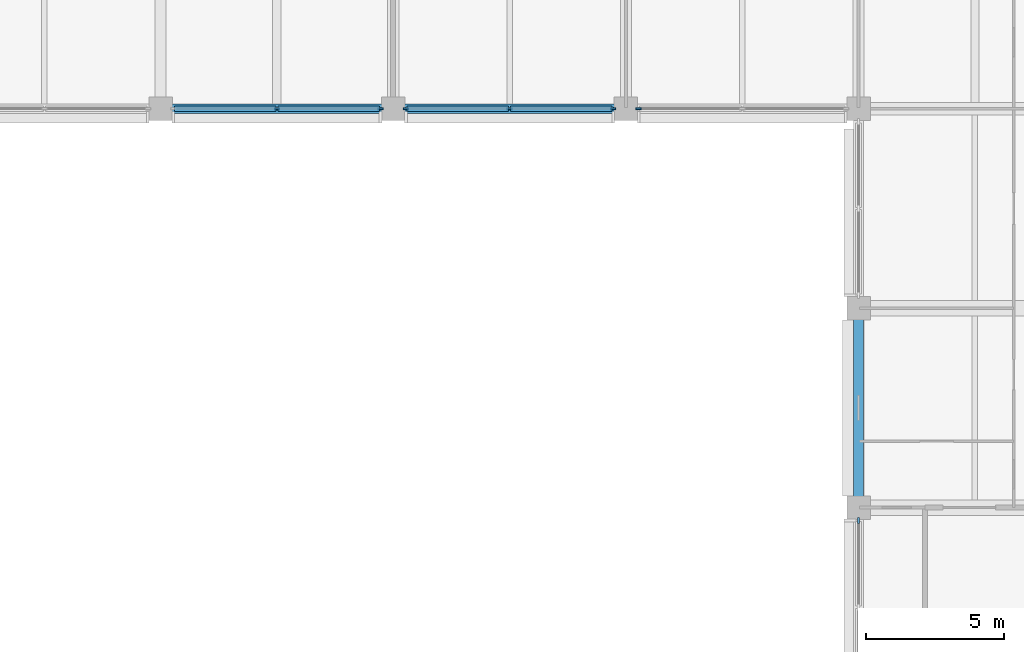
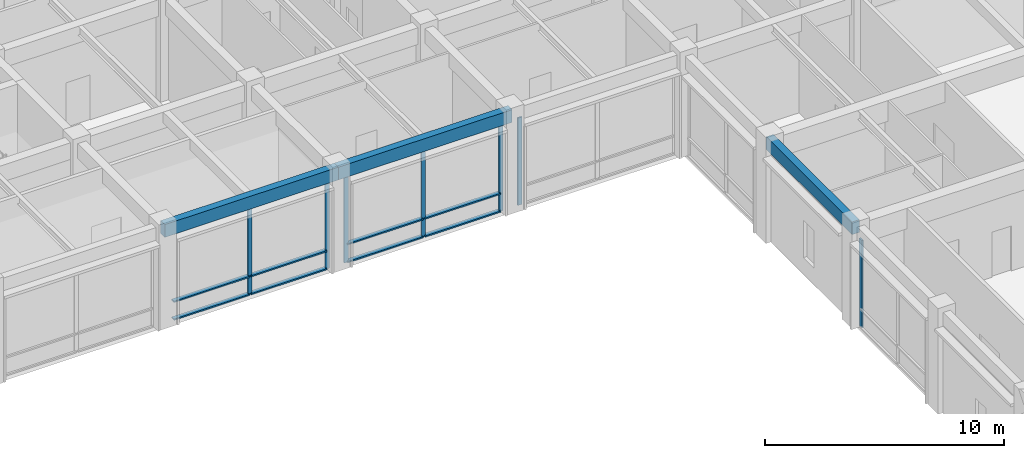
# One storey, part 12 of 51: 19 members, 3 beams, 4 elements without a shape of their own.
"""IFC4 building model written with IfcOpenShell, lengths in metres."""

from ifc_helpers import new_model, si_unit, direction, frame, origin, origin_2d, place, context, subcontext, project, spatial, rectangle, extrude, material, layer, layer_set, material_profile, profile_set, type_object, element, aggregate, save


model = new_model("IFC4")

# Units and contexts
model_context = context("Model", 3, precision=1e-05, world=origin(), true_north=direction((0.0, 1.0)))
body_context = subcontext(model_context, "Body", "Model", "MODEL_VIEW")
ifc_project = project(units=[si_unit("LENGTHUNIT", "METRE"), si_unit("AREAUNIT", "SQUARE_METRE"), si_unit("VOLUMEUNIT", "CUBIC_METRE"), si_unit("PLANEANGLEUNIT", "RADIAN"), si_unit("MASSUNIT", "GRAM", prefix="KILO")], contexts=[model_context])

# Site, building, storey
site_placement = place(None, origin())
site = spatial("IfcSite", under=ifc_project, at=site_placement, CompositionType="ELEMENT")
building_placement = place(site_placement, origin())
building = spatial("IfcBuilding", under=site, at=building_placement, Name="Chengyuan Square Courthouse", CompositionType="ELEMENT")
storey_placement = place(building_placement, frame((0.0, 0.0, 10.800048828125)))
storey = spatial("IfcBuildingStorey", under=building, at=storey_placement, Name="L03", CompositionType="ELEMENT", Elevation=10.800048828125)

# Beams
ifc_material_1 = material(Name="Concrete C40", Category="concrete")
ifc_material_profile_1 = material_profile(ifc_material_1, rectangle(XDim=0.35009765625, YDim=0.64990234375, at=origin_2d()), Name="RC-BM-350x650")
ifc_profile_set_1 = profile_set([ifc_material_profile_1], Name="Concrete C40")
beam_type = type_object("IfcBeamType", Name="BM-03", PredefinedType="SPANDREL", material=ifc_profile_set_1)
beam_1_placement = place(storey_placement, frame((126.0, 79.199951171875, 4.794921875), z_axis=(1.0, 0.0, 0.0), x_axis=(0.0, 1.0, 0.0)))
element("IfcBeam", 1, at=beam_1_placement, inside=storey, type_object=beam_type, Name="Girder BM-L03-2539", PredefinedType="SPANDREL", context=body_context, shape_type="SweptSolid", body=[
    extrude(rectangle(XDim=0.35009765625, YDim=0.64990234375, at=origin_2d()), origin(), (0.0, 0.0, 1.0), 8.39990234375),
])
beam_2_placement = place(storey_placement, frame((134.39990234375, 79.199951171875, 4.794921875), z_axis=(1.0, 0.0, 0.0), x_axis=(0.0, 1.0, 0.0)))
element("IfcBeam", 2, at=beam_2_placement, inside=storey, type_object=beam_type, Name="Girder BM-L03-2540", PredefinedType="SPANDREL", context=body_context, shape_type="SweptSolid", body=[
    extrude(rectangle(XDim=0.35009765625, YDim=0.64990234375, at=origin_2d()), origin(), (0.0, 0.0, 1.0), 8.400146484375),
])
beam_3_placement = place(storey_placement, frame((151.199951171875, 64.800048828125, 4.794921875), z_axis=(0.0, 1.0, 0.0), x_axis=(-1.0, 0.0, 0.0)))
element("IfcBeam", 3, at=beam_3_placement, inside=storey, type_object=beam_type, Name="Girder BM-L03-2733", PredefinedType="SPANDREL", context=body_context, shape_type="SweptSolid", body=[
    extrude(rectangle(XDim=0.35009765625, YDim=0.64990234375, at=origin_2d()), origin(), (0.0, 0.0, 1.0), 7.199951171875),
])

# Curtain wall, members
ifc_material_2 = material(Name="Unitised Aluminium and Triple Low-E Glass", Category="aluminium")
ifc_layer_1 = layer(ifc_material_2, 0.199951171875)
ifc_layer_set_1 = layer_set([ifc_layer_1], Name="Unitised Aluminium and Triple Low-E Glass")
curtain_wall_type_1 = type_object("IfcCurtainWallType", Name="CW-07", PredefinedType="USERDEFINED", material=ifc_layer_set_1)
curtain_wall_1_placement = place(storey_placement, origin())
curtain_wall_1 = element("IfcCurtainWall", 4, at=curtain_wall_1_placement, inside=storey, type_object=curtain_wall_type_1, Name="Unitised Curtain Wall CW-L03-116", ObjectType="UNITISED CURTAIN WALL", PredefinedType="USERDEFINED")
ifc_material_3 = material(Name="Aluminium 6063-T6 Frame", Category="aluminium")
ifc_material_profile_2 = material_profile(ifc_material_3, rectangle(XDim=0.070068359375, YDim=0.199951171875, at=origin_2d()), Name="CW-MUL-70x200")
ifc_profile_set_2 = profile_set([ifc_material_profile_2], Name="Aluminium 6063-T6 Frame")
member_type_1 = type_object("IfcMemberType", Name="CWM-03", PredefinedType="MULLION", material=ifc_profile_set_2)
member_1_placement = place(storey_placement, frame((130.199951171875, 79.199951171875, 0.0), z_axis=(0.0, 0.0, 1.0), x_axis=(0.0, 1.0, 0.0)))
member_1 = element("IfcMember", 5, at=member_1_placement, type_object=member_type_1, Name="CW-07 mullion 2", PredefinedType="MULLION", context=body_context, shape_type="SweptSolid", body=[
    extrude(rectangle(XDim=0.070068359375, YDim=0.199951171875, at=origin_2d()), origin(), (0.0, 0.0, 1.0), 4.469970703125),
])
member_2_placement = place(storey_placement, frame((133.93994140625, 79.199951171875, 0.0), z_axis=(0.0, 0.0, 1.0), x_axis=(0.0, 1.0, 0.0)))
member_2 = element("IfcMember", 6, at=member_2_placement, type_object=member_type_1, Name="CW-07 mullion 3", PredefinedType="MULLION", context=body_context, shape_type="SweptSolid", body=[
    extrude(rectangle(XDim=0.070068359375, YDim=0.199951171875, at=origin_2d()), origin(), (0.0, 0.0, 1.0), 4.469970703125),
])

curtain_wall_2_placement = place(storey_placement, origin())
curtain_wall_2 = element("IfcCurtainWall", 7, at=curtain_wall_2_placement, inside=storey, type_object=curtain_wall_type_1, Name="Unitised Curtain Wall CW-L03-117", ObjectType="UNITISED CURTAIN WALL", PredefinedType="USERDEFINED")
member_3_placement = place(storey_placement, frame((134.860107421875, 79.199951171875, 0.0), z_axis=(0.0, 0.0, 1.0), x_axis=(0.0, 1.0, 0.0)))
member_3 = element("IfcMember", 8, at=member_3_placement, type_object=member_type_1, Name="CW-07 mullion 1", PredefinedType="MULLION", context=body_context, shape_type="SweptSolid", body=[
    extrude(rectangle(XDim=0.070068359375, YDim=0.199951171875, at=origin_2d()), origin(), (0.0, 0.0, 1.0), 4.469970703125),
])
member_4_placement = place(storey_placement, frame((138.60009765625, 79.199951171875, 0.0), z_axis=(0.0, 0.0, 1.0), x_axis=(0.0, 1.0, 0.0)))
member_4 = element("IfcMember", 9, at=member_4_placement, type_object=member_type_1, Name="CW-07 mullion 2", PredefinedType="MULLION", context=body_context, shape_type="SweptSolid", body=[
    extrude(rectangle(XDim=0.070068359375, YDim=0.199951171875, at=origin_2d()), origin(), (0.0, 0.0, 1.0), 4.469970703125),
])
member_5_placement = place(storey_placement, frame((142.340087890625, 79.199951171875, 0.0), z_axis=(0.0, 0.0, 1.0), x_axis=(0.0, 1.0, 0.0)))
member_5 = element("IfcMember", 10, at=member_5_placement, type_object=member_type_1, Name="CW-07 mullion 3", PredefinedType="MULLION", context=body_context, shape_type="SweptSolid", body=[
    extrude(rectangle(XDim=0.070068359375, YDim=0.199951171875, at=origin_2d()), origin(), (0.0, 0.0, 1.0), 4.469970703125),
])

# Curtain wall, member
curtain_wall_3_placement = place(storey_placement, origin())
curtain_wall_3 = element("IfcCurtainWall", 11, at=curtain_wall_3_placement, inside=storey, type_object=curtain_wall_type_1, Name="Unitised Curtain Wall CW-L03-118", ObjectType="UNITISED CURTAIN WALL", PredefinedType="USERDEFINED")
member_6_placement = place(storey_placement, frame((143.260009765625, 79.199951171875, 0.0), z_axis=(0.0, 0.0, 1.0), x_axis=(0.0, 1.0, 0.0)))
member_6 = element("IfcMember", 12, at=member_6_placement, type_object=member_type_1, Name="CW-07 mullion 1", PredefinedType="MULLION", context=body_context, shape_type="SweptSolid", body=[
    extrude(rectangle(XDim=0.070068359375, YDim=0.199951171875, at=origin_2d()), origin(), (0.0, 0.0, 1.0), 4.469970703125),
])
aggregate(curtain_wall_3, [member_6])

ifc_layer_2 = layer(ifc_material_2, 0.219970703125)
ifc_layer_set_2 = layer_set([ifc_layer_2], Name="Unitised Aluminium and Triple Low-E Glass")
curtain_wall_type_2 = type_object("IfcCurtainWallType", Name="CW-20", PredefinedType="USERDEFINED", material=ifc_layer_set_2)
curtain_wall_4_placement = place(storey_placement, origin())
curtain_wall_4 = element("IfcCurtainWall", 13, at=curtain_wall_4_placement, inside=storey, type_object=curtain_wall_type_2, Name="Unitised Curtain Wall CW-L03-120", ObjectType="UNITISED CURTAIN WALL", PredefinedType="USERDEFINED")
ifc_material_profile_3 = material_profile(ifc_material_3, rectangle(XDim=0.080078125, YDim=0.219970703125, at=origin_2d()), Name="CW-MUL-80x220")
ifc_profile_set_3 = profile_set([ifc_material_profile_3], Name="Aluminium 6063-T6 Frame")
member_type_2 = type_object("IfcMemberType", Name="CWM-04", PredefinedType="MULLION", material=ifc_profile_set_3)
member_7_placement = place(storey_placement, frame((151.199951171875, 64.3349609375, 0.0), z_axis=(0.0, 0.0, 1.0), x_axis=(-1.0, 0.0, 0.0)))
member_7 = element("IfcMember", 14, at=member_7_placement, type_object=member_type_2, Name="CW-20 mullion 3", PredefinedType="MULLION", context=body_context, shape_type="SweptSolid", body=[
    extrude(rectangle(XDim=0.080078125, YDim=0.219970703125, at=origin_2d()), origin(), (0.0, 0.0, 1.0), 4.469970703125),
])
aggregate(curtain_wall_4, [member_7])

# Member
ifc_material_profile_4 = material_profile(ifc_material_3, rectangle(XDim=0.199951171875, YDim=0.070068359375, at=origin_2d()), Name="CW-TRN-70x160")
ifc_profile_set_4 = profile_set([ifc_material_profile_4], Name="Aluminium 6063-T6 Frame")
member_type_3 = type_object("IfcMemberType", Name="CWT-03", PredefinedType="USERDEFINED", material=ifc_profile_set_4)
member_8_placement = place(storey_placement, frame((126.4951171875, 79.199951171875, 0.034912109375), z_axis=(1.0, 0.0, 0.0), x_axis=(0.0, 1.0, 0.0)))
member_8 = element("IfcMember", 15, at=member_8_placement, type_object=member_type_3, Name="CW-07 transom 1.1", ObjectType="TRANSOM", PredefinedType="USERDEFINED", context=body_context, shape_type="SweptSolid", body=[
    extrude(rectangle(XDim=0.199951171875, YDim=0.070068359375, at=origin_2d()), origin(), (0.0, 0.0, 1.0), 3.669921875),
])

member_9_placement = place(storey_placement, frame((126.4951171875, 79.199951171875, 0.949951171875), z_axis=(1.0, 0.0, 0.0), x_axis=(0.0, 1.0, 0.0)))
member_9 = element("IfcMember", 16, at=member_9_placement, type_object=member_type_3, Name="CW-07 transom 1.2", ObjectType="TRANSOM", PredefinedType="USERDEFINED", context=body_context, shape_type="SweptSolid", body=[
    extrude(rectangle(XDim=0.199951171875, YDim=0.070068359375, at=origin_2d()), origin(), (0.0, 0.0, 1.0), 3.669921875),
])

member_10_placement = place(storey_placement, frame((126.4951171875, 79.199951171875, 4.43505859375), z_axis=(1.0, 0.0, 0.0), x_axis=(0.0, 1.0, 0.0)))
member_10 = element("IfcMember", 17, at=member_10_placement, type_object=member_type_3, Name="CW-07 transom 1.3", ObjectType="TRANSOM", PredefinedType="USERDEFINED", context=body_context, shape_type="SweptSolid", body=[
    extrude(rectangle(XDim=0.199951171875, YDim=0.070068359375, at=origin_2d()), origin(), (0.0, 0.0, 1.0), 3.669921875),
])

member_11_placement = place(storey_placement, frame((130.235107421875, 79.199951171875, 0.034912109375), z_axis=(1.0, 0.0, 0.0), x_axis=(0.0, 1.0, 0.0)))
member_11 = element("IfcMember", 18, at=member_11_placement, type_object=member_type_3, Name="CW-07 transom 2.1", ObjectType="TRANSOM", PredefinedType="USERDEFINED", context=body_context, shape_type="SweptSolid", body=[
    extrude(rectangle(XDim=0.199951171875, YDim=0.070068359375, at=origin_2d()), origin(), (0.0, 0.0, 1.0), 3.669921875),
])

member_12_placement = place(storey_placement, frame((130.235107421875, 79.199951171875, 0.949951171875), z_axis=(1.0, 0.0, 0.0), x_axis=(0.0, 1.0, 0.0)))
member_12 = element("IfcMember", 19, at=member_12_placement, type_object=member_type_3, Name="CW-07 transom 2.2", ObjectType="TRANSOM", PredefinedType="USERDEFINED", context=body_context, shape_type="SweptSolid", body=[
    extrude(rectangle(XDim=0.199951171875, YDim=0.070068359375, at=origin_2d()), origin(), (0.0, 0.0, 1.0), 3.669921875),
])

member_13_placement = place(storey_placement, frame((130.235107421875, 79.199951171875, 4.43505859375), z_axis=(1.0, 0.0, 0.0), x_axis=(0.0, 1.0, 0.0)))
member_13 = element("IfcMember", 20, at=member_13_placement, type_object=member_type_3, Name="CW-07 transom 2.3", ObjectType="TRANSOM", PredefinedType="USERDEFINED", context=body_context, shape_type="SweptSolid", body=[
    extrude(rectangle(XDim=0.199951171875, YDim=0.070068359375, at=origin_2d()), origin(), (0.0, 0.0, 1.0), 3.669921875),
])

aggregate(curtain_wall_1, [member_1, member_2, member_8, member_9, member_10, member_11, member_12, member_13])

member_14_placement = place(storey_placement, frame((134.89501953125, 79.199951171875, 0.034912109375), z_axis=(1.0, 0.0, 0.0), x_axis=(0.0, 1.0, 0.0)))
member_14 = element("IfcMember", 21, at=member_14_placement, type_object=member_type_3, Name="CW-07 transom 1.1", ObjectType="TRANSOM", PredefinedType="USERDEFINED", context=body_context, shape_type="SweptSolid", body=[
    extrude(rectangle(XDim=0.199951171875, YDim=0.070068359375, at=origin_2d()), origin(), (0.0, 0.0, 1.0), 3.669921875),
])

member_15_placement = place(storey_placement, frame((134.89501953125, 79.199951171875, 0.949951171875), z_axis=(1.0, 0.0, 0.0), x_axis=(0.0, 1.0, 0.0)))
member_15 = element("IfcMember", 22, at=member_15_placement, type_object=member_type_3, Name="CW-07 transom 1.2", ObjectType="TRANSOM", PredefinedType="USERDEFINED", context=body_context, shape_type="SweptSolid", body=[
    extrude(rectangle(XDim=0.199951171875, YDim=0.070068359375, at=origin_2d()), origin(), (0.0, 0.0, 1.0), 3.669921875),
])

member_16_placement = place(storey_placement, frame((134.89501953125, 79.199951171875, 4.43505859375), z_axis=(1.0, 0.0, 0.0), x_axis=(0.0, 1.0, 0.0)))
member_16 = element("IfcMember", 23, at=member_16_placement, type_object=member_type_3, Name="CW-07 transom 1.3", ObjectType="TRANSOM", PredefinedType="USERDEFINED", context=body_context, shape_type="SweptSolid", body=[
    extrude(rectangle(XDim=0.199951171875, YDim=0.070068359375, at=origin_2d()), origin(), (0.0, 0.0, 1.0), 3.669921875),
])

member_17_placement = place(storey_placement, frame((138.635009765625, 79.199951171875, 0.034912109375), z_axis=(1.0, 0.0, 0.0), x_axis=(0.0, 1.0, 0.0)))
member_17 = element("IfcMember", 24, at=member_17_placement, type_object=member_type_3, Name="CW-07 transom 2.1", ObjectType="TRANSOM", PredefinedType="USERDEFINED", context=body_context, shape_type="SweptSolid", body=[
    extrude(rectangle(XDim=0.199951171875, YDim=0.070068359375, at=origin_2d()), origin(), (0.0, 0.0, 1.0), 3.669921875),
])

member_18_placement = place(storey_placement, frame((138.635009765625, 79.199951171875, 0.949951171875), z_axis=(1.0, 0.0, 0.0), x_axis=(0.0, 1.0, 0.0)))
member_18 = element("IfcMember", 25, at=member_18_placement, type_object=member_type_3, Name="CW-07 transom 2.2", ObjectType="TRANSOM", PredefinedType="USERDEFINED", context=body_context, shape_type="SweptSolid", body=[
    extrude(rectangle(XDim=0.199951171875, YDim=0.070068359375, at=origin_2d()), origin(), (0.0, 0.0, 1.0), 3.669921875),
])

member_19_placement = place(storey_placement, frame((138.635009765625, 79.199951171875, 4.43505859375), z_axis=(1.0, 0.0, 0.0), x_axis=(0.0, 1.0, 0.0)))
member_19 = element("IfcMember", 26, at=member_19_placement, type_object=member_type_3, Name="CW-07 transom 2.3", ObjectType="TRANSOM", PredefinedType="USERDEFINED", context=body_context, shape_type="SweptSolid", body=[
    extrude(rectangle(XDim=0.199951171875, YDim=0.070068359375, at=origin_2d()), origin(), (0.0, 0.0, 1.0), 3.669921875),
])

aggregate(curtain_wall_2, [member_3, member_4, member_5, member_14, member_15, member_16, member_17, member_18, member_19])

save(model, "model.ifc")
